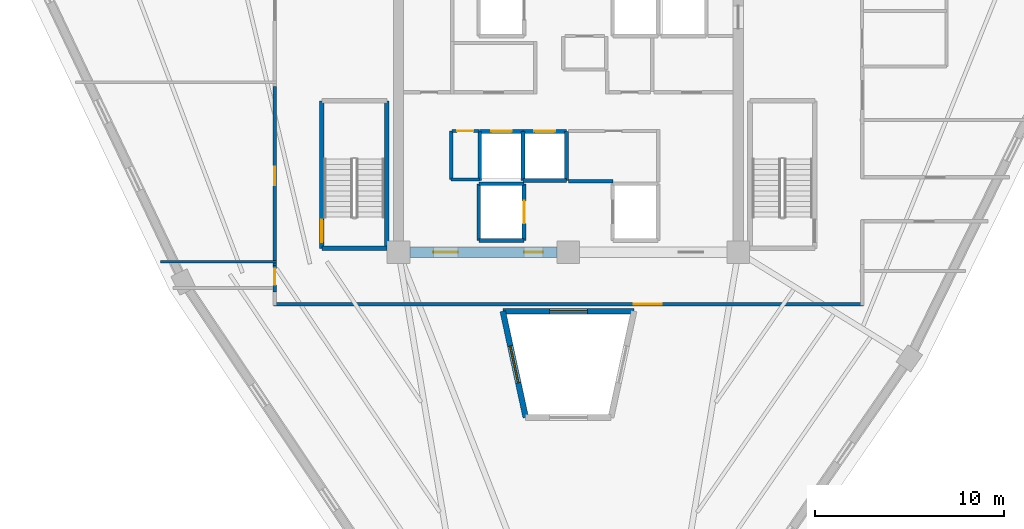
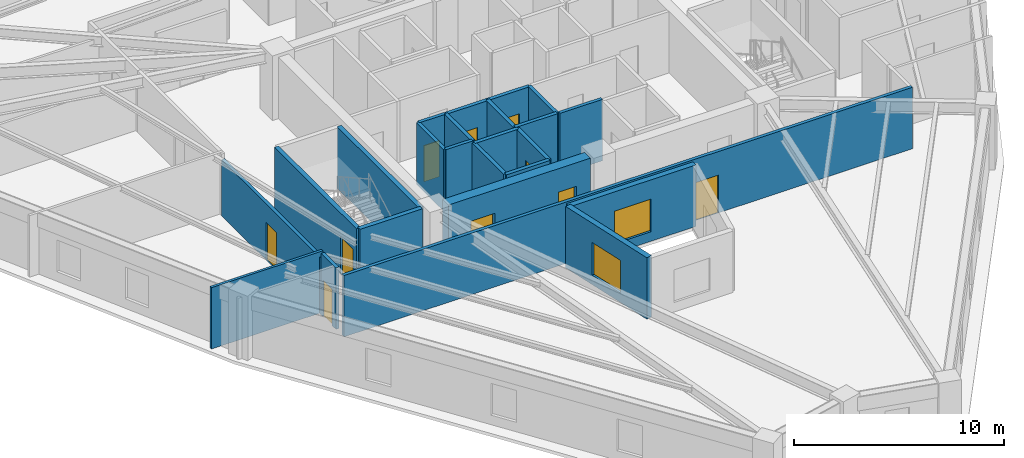
# One storey, part 3 of 8: 24 walls, 10 doors, 2 windows, 12 openings.
"""IFC4 building model written with IfcOpenShell, lengths in metres."""

from ifc_helpers import new_model, si_unit, direction, frame, frame_2d, origin, place, context, subcontext, project, spatial, rectangle, extrude, source, transform, mapped, material, layer, layer_set, type_object, element, fill, save


model = new_model("IFC4")

# Units and contexts
model_context = context("Model", 3, precision=1e-05, world=origin(), true_north=direction((0.0, 1.0)))
body_context = subcontext(model_context, "Body", "Model", "MODEL_VIEW")
ifc_project = project(units=[si_unit("LENGTHUNIT", "METRE"), si_unit("AREAUNIT", "SQUARE_METRE"), si_unit("VOLUMEUNIT", "CUBIC_METRE"), si_unit("PLANEANGLEUNIT", "RADIAN"), si_unit("MASSUNIT", "GRAM", prefix="KILO")], contexts=[model_context])

# Site, building, storey
site_placement = place(None, origin())
site = spatial("IfcSite", under=ifc_project, at=site_placement, CompositionType="ELEMENT")
building_placement = place(site_placement, origin())
building = spatial("IfcBuilding", under=site, at=building_placement, Name="Liaohun Quay Tower", CompositionType="ELEMENT")
storey_placement = place(building_placement, frame((0.0, 0.0, 305.25)))
storey = spatial("IfcBuildingStorey", under=building, at=storey_placement, Name="L79", CompositionType="ELEMENT", Elevation=305.25)

# Wall, opening, window
ifc_material_1 = material(Name="Concrete C50", Category="concrete")
ifc_layer_1 = layer(ifc_material_1, 0.300048828125, Name="Concrete C50", Category="concrete")
ifc_layer_set_1 = layer_set([ifc_layer_1], Name="Concrete C50")
wall_type_1 = type_object("IfcWallType", Name="WAL-ATR-300", PredefinedType="SOLIDWALL", material=ifc_layer_set_1)
wall_1_placement = place(storey_placement, frame((57.739013671875, 37.739990234375, 0.0), z_axis=(0.0, 0.0, 1.0), x_axis=(-0.211447694839, 0.977389314627, 0.0)))
wall_1 = element("IfcWall", 1, at=wall_1_placement, inside=storey, type_object=wall_type_1, Name="L79 Atrium Fire Compartment Wall 1", PredefinedType="SOLIDWALL", context=body_context, shape_type="SweptSolid", body=[
    extrude(rectangle(XDim=5.76025390625, YDim=0.300048828125, at=frame_2d((2.880126953125, 0.0))), origin(), (0.0, 0.0, 1.0), 3.570068359375),
])
shared_shape_1 = source(origin(), body_context, "Body", "SweptSolid", [
    extrude(rectangle(XDim=2.0, YDim=1.89990234375, at=frame_2d((1.0, 0.949951171875))), frame((0.0, 0.159912109375, 0.0), z_axis=(0.0, -1.0, 0.0), x_axis=(1.0, 0.0, 0.0)), (0.0, 0.0, 1.0), 0.320068359375),
])
opening_1_placement = place(wall_1_placement, frame((1.8798828125, 0.0, 0.550048828125)))
opening_1 = element("IfcOpeningElement", 2, at=opening_1_placement, cuts=wall_1, Name="Opening W07", PredefinedType="OPENING", context=body_context, shape_type="MappedRepresentation", body=[
    mapped(shared_shape_1, transform((0.0, 0.0, 0.0), x_axis=(1.0, 0.0, 0.0), y_axis=(0.0, 1.0, 0.0), z_axis=(0.0, 0.0, 1.0), scale=1.0)),
])
ifc_material_2 = material(Name="Class A 180-min fire-resistant insulated glazing", Category="glass")
window_type = type_object("IfcWindowType", Name="WIN-ATR-FIR", PartitioningType="DOUBLE_PANEL_VERTICAL", PredefinedType="WINDOW", material=ifc_material_2)
shared_shape_2 = source(origin(), body_context, "Body", "SweptSolid", [
    extrude(rectangle(XDim=2.0, YDim=1.89990234375, at=frame_2d((1.0, 0.949951171875))), frame((0.0, 0.030029296875, 0.0), z_axis=(0.0, -1.0, 0.0), x_axis=(1.0, 0.0, 0.0)), (0.0, 0.0, 1.0), 0.06005859375),
])
window_1_placement = place(opening_1_placement, origin())
window_1 = element("IfcWindow", 3, at=window_1_placement, inside=storey, type_object=window_type, Name="L79 Atrium Fire-Resistant Glazing W07-1", OverallHeight=1.89990234375, OverallWidth=2.0, PartitioningType="DOUBLE_PANEL_VERTICAL", PredefinedType="WINDOW", context=body_context, shape_type="MappedRepresentation", body=[
    mapped(shared_shape_2, transform((0.0, 0.0, 0.0), x_axis=(1.0, 0.0, 0.0), y_axis=(0.0, 1.0, 0.0), z_axis=(0.0, 0.0, 1.0), scale=1.0)),
])
fill(opening_1, window_1)

wall_2_placement = place(storey_placement, frame((56.52099609375, 43.3701171875, 0.0), z_axis=(0.0, 0.0, 1.0), x_axis=(1.0, 0.0, 0.0)))
wall_2 = element("IfcWall", 4, at=wall_2_placement, inside=storey, type_object=wall_type_1, Name="L79 Atrium Fire Compartment Wall 2", PredefinedType="SOLIDWALL", context=body_context, shape_type="SweptSolid", body=[
    extrude(rectangle(XDim=6.9580078125, YDim=0.300048828125, at=frame_2d((3.47900390625, 0.0))), origin(), (0.0, 0.0, 1.0), 3.570068359375),
])
opening_2_placement = place(wall_2_placement, frame((2.47900390625, 0.0, 0.550048828125)))
opening_2 = element("IfcOpeningElement", 5, at=opening_2_placement, cuts=wall_2, Name="Opening W07", PredefinedType="OPENING", context=body_context, shape_type="MappedRepresentation", body=[
    mapped(shared_shape_1, transform((0.0, 0.0, 0.0), x_axis=(1.0, 0.0, 0.0), y_axis=(0.0, 1.0, 0.0), z_axis=(0.0, 0.0, 1.0), scale=1.0)),
])
window_2_placement = place(opening_2_placement, origin())
window_2 = element("IfcWindow", 6, at=window_2_placement, inside=storey, type_object=window_type, Name="L79 Atrium Fire-Resistant Glazing W07-2", OverallHeight=1.89990234375, OverallWidth=2.0, PartitioningType="DOUBLE_PANEL_VERTICAL", PredefinedType="WINDOW", context=body_context, shape_type="MappedRepresentation", body=[
    mapped(shared_shape_2, transform((0.0, 0.0, 0.0), x_axis=(1.0, 0.0, 0.0), y_axis=(0.0, 1.0, 0.0), z_axis=(0.0, 0.0, 1.0), scale=1.0)),
])
fill(opening_2, window_2)

# Wall, openings, doors
ifc_layer_2 = layer(ifc_material_1, 0.550048828125, Name="Concrete C50", Category="concrete")
ifc_layer_set_2 = layer_set([ifc_layer_2], Name="Concrete C50")
wall_type_2 = type_object("IfcWallType", Name="WAL-COR-Z4", PredefinedType="SHEAR", material=ifc_layer_set_2)
wall_3_placement = place(storey_placement, frame((59.39990234375, 46.5, 0.0), z_axis=(0.0, 0.0, 1.0), x_axis=(-1.0, 0.0, 0.0)))
wall_3 = element("IfcWall", 7, at=wall_3_placement, inside=storey, type_object=wall_type_2, Name="L79 Central Core Shear Wall S-W", PredefinedType="SHEAR", context=body_context, shape_type="SweptSolid", body=[
    extrude(rectangle(XDim=7.7998046875, YDim=0.550048828125, at=frame_2d((3.89990234375, 0.0))), origin(), (0.0, 0.0, 1.0), 3.570068359375),
])
shared_shape_3 = source(origin(), body_context, "Body", "SweptSolid", [
    extrude(rectangle(XDim=1.300048828125, YDim=2.199951171875, at=frame_2d((0.64990234375, 1.10009765625))), frame((0.0, 0.284912109375, 0.0), z_axis=(0.0, -1.0, 0.0), x_axis=(1.0, 0.0, 0.0)), (0.0, 0.0, 1.0), 0.570068359375),
])
opening_3_placement = place(wall_3_placement, frame((5.25, 0.0, 0.0)))
opening_3 = element("IfcOpeningElement", 8, at=opening_3_placement, cuts=wall_3, Name="Opening FD1", PredefinedType="OPENING", context=body_context, shape_type="MappedRepresentation", body=[
    mapped(shared_shape_3, transform((0.0, 0.0, 0.0), x_axis=(1.0, 0.0, 0.0), y_axis=(0.0, 1.0, 0.0), z_axis=(0.0, 0.0, 1.0), scale=1.0)),
])
shared_shape_4 = source(origin(), body_context, "Body", "SweptSolid", [
    extrude(rectangle(XDim=1.0, YDim=2.199951171875, at=frame_2d((0.5, 1.10009765625))), frame((0.0, 0.284912109375, 0.0), z_axis=(0.0, -1.0, 0.0), x_axis=(1.0, 0.0, 0.0)), (0.0, 0.0, 1.0), 0.570068359375),
])
opening_4_placement = place(wall_3_placement, frame((0.75, 0.0, 0.0)))
opening_4 = element("IfcOpeningElement", 9, at=opening_4_placement, cuts=wall_3, Name="Opening FD2", PredefinedType="OPENING", context=body_context, shape_type="MappedRepresentation", body=[
    mapped(shared_shape_4, transform((0.0, 0.0, 0.0), x_axis=(1.0, 0.0, 0.0), y_axis=(0.0, 1.0, 0.0), z_axis=(0.0, 0.0, 1.0), scale=1.0)),
])
ifc_material_3 = material(Name="Galvanised steel smokeproof fire door", Category="steel")
door_type_1 = type_object("IfcDoorType", Name="DOR-FFL-1300", OperationType="NOTDEFINED", PredefinedType="DOOR", material=ifc_material_3)
shared_shape_5 = source(origin(), body_context, "Body", "SweptSolid", [
    extrude(rectangle(XDim=1.300048828125, YDim=2.199951171875, at=frame_2d((0.64990234375, 1.10009765625))), frame((0.0, 0.02490234375, 0.0), z_axis=(0.0, -1.0, 0.0), x_axis=(1.0, 0.0, 0.0)), (0.0, 0.0, 1.0), 0.050048828125),
])
door_1_placement = place(opening_3_placement, origin())
door_1 = element("IfcDoor", 10, at=door_1_placement, inside=storey, type_object=door_type_1, Name="L79 West Core Lift Lobby Smokeproof Door", OperationType="SINGLE_SWING_RIGHT", OverallHeight=2.199951171875, OverallWidth=1.300048828125, PredefinedType="DOOR", context=body_context, shape_type="MappedRepresentation", body=[
    mapped(shared_shape_5, transform((0.0, 0.0, 0.0), x_axis=(1.0, 0.0, 0.0), y_axis=(0.0, 1.0, 0.0), z_axis=(0.0, 0.0, 1.0), scale=1.0)),
])
fill(opening_3, door_1)
ifc_material_4 = material(Name="Galvanised steel smokeproof lobby fire door", Category="steel")
door_type_2 = type_object("IfcDoorType", Name="DOR-FFL-1000", OperationType="NOTDEFINED", PredefinedType="DOOR", material=ifc_material_4)
shared_shape_6 = source(origin(), body_context, "Body", "SweptSolid", [
    extrude(rectangle(XDim=1.0, YDim=2.199951171875, at=frame_2d((0.5, 1.10009765625))), frame((0.0, 0.02490234375, 0.0), z_axis=(0.0, -1.0, 0.0), x_axis=(1.0, 0.0, 0.0)), (0.0, 0.0, 1.0), 0.050048828125),
])
door_2_placement = place(opening_4_placement, origin())
door_2 = element("IfcDoor", 11, at=door_2_placement, inside=storey, type_object=door_type_2, Name="L79 South Firefighting Lobby Smokeproof Door", OperationType="SINGLE_SWING_LEFT", OverallHeight=2.199951171875, OverallWidth=1.0, PredefinedType="DOOR", context=body_context, shape_type="MappedRepresentation", body=[
    mapped(shared_shape_6, transform((0.0, 0.0, 0.0), x_axis=(1.0, 0.0, 0.0), y_axis=(0.0, 1.0, 0.0), z_axis=(0.0, 0.0, 1.0), scale=1.0)),
])
fill(opening_4, door_2)

# Wall, opening, door
ifc_material_5 = material(Name="Autoclaved aerated concrete blockwork", Category="masonry")
ifc_layer_3 = layer(ifc_material_5, 0.179931640625, Name="Autoclaved aerated concrete blockwork", Category="masonry")
ifc_layer_set_3 = layer_set([ifc_layer_3], Name="Autoclaved aerated concrete blockwork")
wall_type_3 = type_object("IfcWallType", Name="WAL-PRT-COR", PredefinedType="PARTITIONING", material=ifc_layer_set_3)
wall_4_placement = place(storey_placement, frame((53.820068359375, 52.919921875, 0.0), z_axis=(0.0, 0.0, 1.0), x_axis=(1.0, 0.0, 0.0)))
wall_4 = element("IfcWall", 12, at=wall_4_placement, inside=storey, type_object=wall_type_3, Name="L79 Interior Partition Wall 007", PredefinedType="PARTITIONING", context=body_context, shape_type="SweptSolid", body=[
    extrude(rectangle(XDim=1.429931640625, YDim=0.179931640625, at=frame_2d((0.71484375, 0.0))), origin(), (0.0, 0.0, 1.0), 3.570068359375),
])
shared_shape_7 = source(origin(), body_context, "Body", "SweptSolid", [
    extrude(rectangle(XDim=0.85009765625, YDim=2.10009765625, at=frame_2d((0.425048828125, 1.050048828125))), frame((0.0, 0.099853515625, 0.0), z_axis=(0.0, -1.0, 0.0), x_axis=(1.0, 0.0, 0.0)), (0.0, 0.0, 1.0), 0.199951171875),
])
opening_5_placement = place(wall_4_placement, frame((0.2900390625, 0.0, 0.0)))
opening_5 = element("IfcOpeningElement", 13, at=opening_5_placement, cuts=wall_4, Name="Opening AD1", PredefinedType="OPENING", context=body_context, shape_type="MappedRepresentation", body=[
    mapped(shared_shape_7, transform((0.0, 0.0, 0.0), x_axis=(1.0, 0.0, 0.0), y_axis=(0.0, 1.0, 0.0), z_axis=(0.0, 0.0, 1.0), scale=1.0)),
])
ifc_material_6 = material(Name="Steel riser inspection fire door", Category="steel")
door_type_3 = type_object("IfcDoorType", Name="DOR-SHF-850", OperationType="NOTDEFINED", PredefinedType="DOOR", material=ifc_material_6)
shared_shape_8 = source(origin(), body_context, "Body", "SweptSolid", [
    extrude(rectangle(XDim=0.85009765625, YDim=2.10009765625, at=frame_2d((0.425048828125, 1.050048828125))), frame((0.0, 0.02490234375, 0.0), z_axis=(0.0, -1.0, 0.0), x_axis=(1.0, 0.0, 0.0)), (0.0, 0.0, 1.0), 0.050048828125),
])
door_3_placement = place(opening_5_placement, origin())
door_3 = element("IfcDoor", 14, at=door_3_placement, inside=storey, type_object=door_type_3, Name="L79 Mechanical Smoke Duct Room Door", OperationType="SINGLE_SWING_LEFT", OverallHeight=2.10009765625, OverallWidth=0.85009765625, PredefinedType="DOOR", context=body_context, shape_type="MappedRepresentation", body=[
    mapped(shared_shape_8, transform((0.0, 0.0, 0.0), x_axis=(1.0, 0.0, 0.0), y_axis=(0.0, 1.0, 0.0), z_axis=(0.0, 0.0, 1.0), scale=1.0)),
])
fill(opening_5, door_3)

wall_5_placement = place(storey_placement, frame((44.43994140625, 45.784912109375, 0.0), z_axis=(0.0, 0.0, 1.0), x_axis=(0.0, 1.0, 0.0)))
wall_5 = element("IfcWall", 15, at=wall_5_placement, inside=storey, type_object=wall_type_3, Name="L79 Interior Partition Wall 022", PredefinedType="PARTITIONING", context=body_context, shape_type="SweptSolid", body=[
    extrude(rectangle(XDim=9.5, YDim=0.179931640625, at=frame_2d((4.75, 0.0))), origin(), (0.0, 0.0, 1.0), 3.260986328125),
])
shared_shape_9 = source(origin(), body_context, "Body", "SweptSolid", [
    extrude(rectangle(XDim=1.0, YDim=2.199951171875, at=frame_2d((0.5, 1.10009765625))), frame((0.0, 0.099853515625, 0.0), z_axis=(0.0, -1.0, 0.0), x_axis=(1.0, 0.0, 0.0)), (0.0, 0.0, 1.0), 0.199951171875),
])
opening_6_placement = place(wall_5_placement, frame((4.25, 0.0, 0.0)))
opening_6 = element("IfcOpeningElement", 16, at=opening_6_placement, cuts=wall_5, Name="Opening OD1", PredefinedType="OPENING", context=body_context, shape_type="MappedRepresentation", body=[
    mapped(shared_shape_9, transform((0.0, 0.0, 0.0), x_axis=(1.0, 0.0, 0.0), y_axis=(0.0, 1.0, 0.0), z_axis=(0.0, 0.0, 1.0), scale=1.0)),
])
ifc_material_7 = material(Name="Solid-core oak veneer timber leaf in steel frame", Category="steel")
door_type_4 = type_object("IfcDoorType", Name="DOR-OFF-1000", OperationType="NOTDEFINED", PredefinedType="DOOR", material=ifc_material_7)
door_4_placement = place(opening_6_placement, origin())
door_4 = element("IfcDoor", 17, at=door_4_placement, inside=storey, type_object=door_type_4, Name="L79 Client Collaboration Lounge 08 Door", OperationType="SINGLE_SWING_RIGHT", OverallHeight=2.199951171875, OverallWidth=1.0, PredefinedType="DOOR", context=body_context, shape_type="MappedRepresentation", body=[
    mapped(shared_shape_6, transform((0.0, 0.0, 0.0), x_axis=(1.0, 0.0, 0.0), y_axis=(0.0, 1.0, 0.0), z_axis=(0.0, 0.0, 1.0), scale=1.0)),
])
fill(opening_6, door_4)

wall_6_placement = place(storey_placement, frame((44.43994140625, 44.385009765625, 0.0), z_axis=(0.0, 0.0, 1.0), x_axis=(0.0, 1.0, 0.0)))
wall_6 = element("IfcWall", 18, at=wall_6_placement, inside=storey, type_object=wall_type_3, Name="L79 Interior Partition Wall 023", PredefinedType="PARTITIONING", context=body_context, shape_type="SweptSolid", body=[
    extrude(rectangle(XDim=1.39990234375, YDim=0.179931640625, at=frame_2d((0.699951171875, 0.0))), origin(), (0.0, 0.0, 1.0), 3.570068359375),
])
opening_7_placement = place(wall_6_placement, frame((0.386962890625, 0.0, 0.0)))
opening_7 = element("IfcOpeningElement", 19, at=opening_7_placement, cuts=wall_6, Name="Opening AD1", PredefinedType="OPENING", context=body_context, shape_type="MappedRepresentation", body=[
    mapped(shared_shape_7, transform((0.0, 0.0, 0.0), x_axis=(1.0, 0.0, 0.0), y_axis=(0.0, 1.0, 0.0), z_axis=(0.0, 0.0, 1.0), scale=1.0)),
])
door_5_placement = place(opening_7_placement, origin())
door_5 = element("IfcDoor", 20, at=door_5_placement, inside=storey, type_object=door_type_3, Name="L79 Records Archive Store 09 Door", OperationType="SINGLE_SWING_LEFT", OverallHeight=2.10009765625, OverallWidth=0.85009765625, PredefinedType="DOOR", context=body_context, shape_type="MappedRepresentation", body=[
    mapped(shared_shape_8, transform((0.0, 0.0, 0.0), x_axis=(1.0, 0.0, 0.0), y_axis=(0.0, 1.0, 0.0), z_axis=(0.0, 0.0, 1.0), scale=1.0)),
])
fill(opening_7, door_5)

wall_7_placement = place(storey_placement, frame((75.6298828125, 43.739990234375, 0.0), z_axis=(0.0, 0.0, 1.0), x_axis=(-1.0, 0.0, 0.0)))
wall_7 = element("IfcWall", 21, at=wall_7_placement, inside=storey, type_object=wall_type_3, Name="L79 Interior Partition Wall 024", PredefinedType="PARTITIONING", context=body_context, shape_type="SweptSolid", body=[
    extrude(rectangle(XDim=31.259765625, YDim=0.179931640625, at=frame_2d((15.6298828125, 0.0))), origin(), (0.0, 0.0, 1.0), 3.570068359375),
])
shared_shape_10 = source(origin(), body_context, "Body", "SweptSolid", [
    extrude(rectangle(XDim=1.5, YDim=2.199951171875, at=frame_2d((0.75, 1.10009765625))), frame((0.0, 0.099853515625, 0.0), z_axis=(0.0, -1.0, 0.0), x_axis=(1.0, 0.0, 0.0)), (0.0, 0.0, 1.0), 0.199951171875),
])
opening_8_placement = place(wall_7_placement, frame((10.679931640625, 0.0, 0.0)))
opening_8 = element("IfcOpeningElement", 22, at=opening_8_placement, cuts=wall_7, Name="Opening OD2", PredefinedType="OPENING", context=body_context, shape_type="MappedRepresentation", body=[
    mapped(shared_shape_10, transform((0.0, 0.0, 0.0), x_axis=(1.0, 0.0, 0.0), y_axis=(0.0, 1.0, 0.0), z_axis=(0.0, 0.0, 1.0), scale=1.0)),
])
ifc_material_8 = material(Name="Acoustic oak veneer double door")
door_type_5 = type_object("IfcDoorType", Name="DOR-OFF-1500", OperationType="DOUBLE_DOOR_SINGLE_SWING", PredefinedType="DOOR", material=ifc_material_8)
shared_shape_11 = source(origin(), body_context, "Body", "SweptSolid", [
    extrude(rectangle(XDim=1.5, YDim=2.199951171875, at=frame_2d((0.75, 1.10009765625))), frame((0.0, 0.02490234375, 0.0), z_axis=(0.0, -1.0, 0.0), x_axis=(1.0, 0.0, 0.0)), (0.0, 0.0, 1.0), 0.050048828125),
])
door_6_placement = place(opening_8_placement, origin())
door_6 = element("IfcDoor", 23, at=door_6_placement, inside=storey, type_object=door_type_5, Name="L79 Open-Plan Office Workplace 10 Door", OperationType="DOUBLE_DOOR_SINGLE_SWING", OverallHeight=2.199951171875, OverallWidth=1.5, PredefinedType="DOOR", context=body_context, shape_type="MappedRepresentation", body=[
    mapped(shared_shape_11, transform((0.0, 0.0, 0.0), x_axis=(1.0, 0.0, 0.0), y_axis=(0.0, 1.0, 0.0), z_axis=(0.0, 0.0, 1.0), scale=1.0)),
])
fill(opening_8, door_6)

# Walls
wall_8_placement = place(storey_placement, frame((53.7900390625, 50.35009765625, 0.0), z_axis=(0.0, 0.0, 1.0), x_axis=(0.0, 1.0, 0.0)))
element("IfcWall", 24, at=wall_8_placement, inside=storey, type_object=wall_type_3, Name="L79 Interior Partition Wall 031", PredefinedType="PARTITIONING", context=body_context, shape_type="SweptSolid", body=[
    extrude(rectangle(XDim=2.56982421875, YDim=0.179931640625, at=frame_2d((1.284912109375, 0.0))), origin(), (0.0, 0.0, 1.0), 3.570068359375),
])
wall_9_placement = place(storey_placement, frame((53.7900390625, 50.35009765625, 0.0), z_axis=(0.0, 0.0, 1.0), x_axis=(1.0, 0.0, 0.0)))
element("IfcWall", 25, at=wall_9_placement, inside=storey, type_object=wall_type_3, Name="L79 Interior Partition Wall 032", PredefinedType="PARTITIONING", context=body_context, shape_type="SweptSolid", body=[
    extrude(rectangle(XDim=1.489990234375, YDim=0.179931640625, at=frame_2d((0.7451171875, 0.0))), origin(), (0.0, 0.0, 1.0), 3.570068359375),
])
wall_10_placement = place(storey_placement, frame((60.0, 50.25, 0.0), z_axis=(0.0, 0.0, 1.0), x_axis=(1.0, 0.0, 0.0)))
element("IfcWall", 26, at=wall_10_placement, inside=storey, type_object=wall_type_3, Name="L79 Interior Partition Wall 060", PredefinedType="PARTITIONING", context=body_context, shape_type="SweptSolid", body=[
    extrude(rectangle(XDim=2.35009765625, YDim=0.179931640625, at=frame_2d((1.175048828125, 0.0))), origin(), (0.0, 0.0, 1.0), 3.570068359375),
])
ifc_material_9 = material(Name="Gypsum board on twin steel studs", Category="steel")
ifc_layer_4 = layer(ifc_material_9, 0.139892578125, Name="Gypsum board on twin steel studs", Category="steel")
ifc_layer_set_4 = layer_set([ifc_layer_4], Name="Gypsum board on twin steel studs")
wall_type_4 = type_object("IfcWallType", Name="WAL-PRT-OFF", PredefinedType="PARTITIONING", material=ifc_layer_set_4)
wall_11_placement = place(storey_placement, frame((44.5400390625, 46.0, 0.0), z_axis=(0.0, 0.0, 1.0), x_axis=(-1.0, 0.0, 0.0)))
element("IfcWall", 27, at=wall_11_placement, inside=storey, type_object=wall_type_4, Name="L79 Interior Partition Wall 050", PredefinedType="PARTITIONING", context=body_context, shape_type="SweptSolid", body=[
    extrude(rectangle(XDim=6.14794921875, YDim=0.139892578125, at=frame_2d((3.073974609375, 0.0))), origin(), (0.0, 0.0, 1.0), 3.570068359375),
])
ifc_layer_5 = layer(ifc_material_1, 0.239990234375, Name="Concrete C50", Category="concrete")
ifc_layer_set_5 = layer_set([ifc_layer_5], Name="Concrete C50")
wall_type_5 = type_object("IfcWallType", Name="WAL-SHF-200", PredefinedType="SOLIDWALL", material=ifc_layer_set_5)
wall_12_placement = place(storey_placement, frame((46.93994140625, 46.699951171875, 0.0), z_axis=(0.0, 0.0, 1.0), x_axis=(1.0, 0.0, 0.0)))
element("IfcWall", 28, at=wall_12_placement, inside=storey, type_object=wall_type_5, Name="L79 Stairwell ST-1 Structural Core Wall S", PredefinedType="SOLIDWALL", context=body_context, shape_type="SweptSolid", body=[
    extrude(rectangle(XDim=3.43994140625, YDim=0.239990234375, at=frame_2d((1.719970703125, 0.0))), origin(), (0.0, 0.0, 1.0), 3.570068359375),
])
wall_13_placement = place(storey_placement, frame((50.3798828125, 46.699951171875, 0.0), z_axis=(0.0, 0.0, 1.0), x_axis=(0.0, 1.0, 0.0)))
element("IfcWall", 29, at=wall_13_placement, inside=storey, type_object=wall_type_5, Name="L79 Stairwell ST-1 Structural Core Wall E", PredefinedType="SOLIDWALL", context=body_context, shape_type="SweptSolid", body=[
    extrude(rectangle(XDim=7.820068359375, YDim=0.239990234375, at=frame_2d((3.91015625, 0.0))), origin(), (0.0, 0.0, 1.0), 3.570068359375),
])

# Wall, opening, door
wall_14_placement = place(storey_placement, frame((46.93994140625, 54.52001953125, 0.0), z_axis=(0.0, 0.0, 1.0), x_axis=(0.0, -1.0, 0.0)))
wall_14 = element("IfcWall", 30, at=wall_14_placement, inside=storey, type_object=wall_type_5, Name="L79 Stairwell ST-1 Structural Core Wall W", PredefinedType="SOLIDWALL", context=body_context, shape_type="SweptSolid", body=[
    extrude(rectangle(XDim=7.820068359375, YDim=0.239990234375, at=frame_2d((3.91015625, 0.0))), origin(), (0.0, 0.0, 1.0), 3.570068359375),
])
shared_shape_12 = source(origin(), body_context, "Body", "SweptSolid", [
    extrude(rectangle(XDim=1.199951171875, YDim=2.199951171875, at=frame_2d((0.60009765625, 1.10009765625))), frame((0.0, 0.1298828125, 0.0), z_axis=(0.0, -1.0, 0.0), x_axis=(1.0, 0.0, 0.0)), (0.0, 0.0, 1.0), 0.260009765625),
])
opening_9_placement = place(wall_14_placement, frame((6.300048828125, 0.0, 0.0)))
opening_9 = element("IfcOpeningElement", 31, at=opening_9_placement, cuts=wall_14, Name="Opening SD1", PredefinedType="OPENING", context=body_context, shape_type="MappedRepresentation", body=[
    mapped(shared_shape_12, transform((0.0, 0.0, 0.0), x_axis=(1.0, 0.0, 0.0), y_axis=(0.0, 1.0, 0.0), z_axis=(0.0, 0.0, 1.0), scale=1.0)),
])
ifc_material_10 = material(Name="Galvanised steel fire door", Category="steel")
door_type_6 = type_object("IfcDoorType", Name="DOR-STR-1200", OperationType="NOTDEFINED", PredefinedType="DOOR", material=ifc_material_10)
shared_shape_13 = source(origin(), body_context, "Body", "SweptSolid", [
    extrude(rectangle(XDim=1.199951171875, YDim=2.199951171875, at=frame_2d((0.60009765625, 1.10009765625))), frame((0.0, 0.02490234375, 0.0), z_axis=(0.0, -1.0, 0.0), x_axis=(1.0, 0.0, 0.0)), (0.0, 0.0, 1.0), 0.050048828125),
])
door_7_placement = place(opening_9_placement, origin())
door_7 = element("IfcDoor", 32, at=door_7_placement, inside=storey, type_object=door_type_6, Name="L79 Protected Stair ST-1 Fire Door", OperationType="SINGLE_SWING_LEFT", OverallHeight=2.199951171875, OverallWidth=1.199951171875, PredefinedType="DOOR", context=body_context, shape_type="MappedRepresentation", body=[
    mapped(shared_shape_13, transform((0.0, 0.0, 0.0), x_axis=(1.0, 0.0, 0.0), y_axis=(0.0, 1.0, 0.0), z_axis=(0.0, 0.0, 1.0), scale=1.0)),
])
fill(opening_9, door_7)

# Wall
wall_15_placement = place(storey_placement, frame((55.25, 47.1201171875, 0.0), z_axis=(0.0, 0.0, 1.0), x_axis=(1.0, 0.0, 0.0)))
element("IfcWall", 33, at=wall_15_placement, inside=storey, type_object=wall_type_5, Name="L79 Lift FF-01 Hoistway Wall S", PredefinedType="SOLIDWALL", context=body_context, shape_type="SweptSolid", body=[
    extrude(rectangle(XDim=2.39990234375, YDim=0.199951171875, at=frame_2d((1.199951171875, 0.0))), origin(), (0.0, 0.0, 1.0), 3.570068359375),
])

# Wall, opening, door
wall_16_placement = place(storey_placement, frame((57.64990234375, 47.1201171875, 0.0), z_axis=(0.0, 0.0, 1.0), x_axis=(0.0, 1.0, 0.0)))
wall_16 = element("IfcWall", 34, at=wall_16_placement, inside=storey, type_object=wall_type_5, Name="L79 Lift FF-01 Hoistway Wall E", PredefinedType="SOLIDWALL", context=body_context, shape_type="SweptSolid", body=[
    extrude(rectangle(XDim=3.0, YDim=0.199951171875, at=frame_2d((1.5, 0.0))), origin(), (0.0, 0.0, 1.0), 3.570068359375),
])
shared_shape_14 = source(origin(), body_context, "Body", "SweptSolid", [
    extrude(rectangle(XDim=1.199951171875, YDim=2.300048828125, at=frame_2d((0.60009765625, 1.14990234375))), frame((0.0, 0.10986328125, 0.0), z_axis=(0.0, -1.0, 0.0), x_axis=(1.0, 0.0, 0.0)), (0.0, 0.0, 1.0), 0.219970703125),
])
opening_10_placement = place(wall_16_placement, frame((0.89990234375, 0.0, 0.0)))
opening_10 = element("IfcOpeningElement", 35, at=opening_10_placement, cuts=wall_16, Name="Opening LD2", PredefinedType="OPENING", context=body_context, shape_type="MappedRepresentation", body=[
    mapped(shared_shape_14, transform((0.0, 0.0, 0.0), x_axis=(1.0, 0.0, 0.0), y_axis=(0.0, 1.0, 0.0), z_axis=(0.0, 0.0, 1.0), scale=1.0)),
])
ifc_material_11 = material(Name="Brushed stainless steel stretcher landing door", Category="steel")
door_type_7 = type_object("IfcDoorType", Name="DOR-LFT-1200", OperationType="SLIDING_TO_LEFT", PredefinedType="DOOR", material=ifc_material_11)
shared_shape_15 = source(origin(), body_context, "Body", "SweptSolid", [
    extrude(rectangle(XDim=1.199951171875, YDim=2.300048828125, at=frame_2d((0.60009765625, 1.14990234375))), frame((0.0, 0.02490234375, 0.0), z_axis=(0.0, -1.0, 0.0), x_axis=(1.0, 0.0, 0.0)), (0.0, 0.0, 1.0), 0.050048828125),
])
door_8_placement = place(opening_10_placement, origin())
door_8 = element("IfcDoor", 36, at=door_8_placement, inside=storey, type_object=door_type_7, Name="L79 Lift FF-01 Sliding Landing Door", OperationType="SLIDING_TO_LEFT", OverallHeight=2.300048828125, OverallWidth=1.199951171875, PredefinedType="DOOR", context=body_context, shape_type="MappedRepresentation", body=[
    mapped(shared_shape_15, transform((0.0, 0.0, 0.0), x_axis=(1.0, 0.0, 0.0), y_axis=(0.0, 1.0, 0.0), z_axis=(0.0, 0.0, 1.0), scale=1.0)),
])
fill(opening_10, door_8)

# Walls
wall_17_placement = place(storey_placement, frame((57.64990234375, 50.1201171875, 0.0), z_axis=(0.0, 0.0, 1.0), x_axis=(-1.0, 0.0, 0.0)))
element("IfcWall", 37, at=wall_17_placement, inside=storey, type_object=wall_type_5, Name="L79 Lift FF-01 Hoistway Wall N", PredefinedType="SOLIDWALL", context=body_context, shape_type="SweptSolid", body=[
    extrude(rectangle(XDim=2.39990234375, YDim=0.199951171875, at=frame_2d((1.199951171875, 0.0))), origin(), (0.0, 0.0, 1.0), 3.570068359375),
])
wall_18_placement = place(storey_placement, frame((55.25, 50.1201171875, 0.0), z_axis=(0.0, 0.0, 1.0), x_axis=(0.0, -1.0, 0.0)))
element("IfcWall", 38, at=wall_18_placement, inside=storey, type_object=wall_type_5, Name="L79 Lift FF-01 Hoistway Wall W", PredefinedType="SOLIDWALL", context=body_context, shape_type="SweptSolid", body=[
    extrude(rectangle(XDim=3.0, YDim=0.199951171875, at=frame_2d((1.5, 0.0))), origin(), (0.0, 0.0, 1.0), 3.570068359375),
])
wall_19_placement = place(storey_placement, frame((57.60009765625, 50.300048828125, 0.0), z_axis=(0.0, 0.0, 1.0), x_axis=(0.0, 1.0, 0.0)))
element("IfcWall", 39, at=wall_19_placement, inside=storey, type_object=wall_type_5, Name="L79 Lift PL-4A Hoistway Wall E", PredefinedType="SOLIDWALL", context=body_context, shape_type="SweptSolid", body=[
    extrude(rectangle(XDim=2.599853515625, YDim=0.199951171875, at=frame_2d((1.2998046875, 0.0))), origin(), (0.0, 0.0, 1.0), 3.570068359375),
])

# Wall, opening, door
wall_20_placement = place(storey_placement, frame((57.60009765625, 52.89990234375, 0.0), z_axis=(0.0, 0.0, 1.0), x_axis=(-1.0, 0.0, 0.0)))
wall_20 = element("IfcWall", 40, at=wall_20_placement, inside=storey, type_object=wall_type_5, Name="L79 Lift PL-4A Hoistway Wall N", PredefinedType="SOLIDWALL", context=body_context, shape_type="SweptSolid", body=[
    extrude(rectangle(XDim=2.300048828125, YDim=0.199951171875, at=frame_2d((1.14990234375, 0.0))), origin(), (0.0, 0.0, 1.0), 3.570068359375),
])
shared_shape_16 = source(origin(), body_context, "Body", "SweptSolid", [
    extrude(rectangle(XDim=1.10009765625, YDim=2.199951171875, at=frame_2d((0.550048828125, 1.10009765625))), frame((0.0, 0.10986328125, 0.0), z_axis=(0.0, -1.0, 0.0), x_axis=(1.0, 0.0, 0.0)), (0.0, 0.0, 1.0), 0.219970703125),
])
opening_11_placement = place(wall_20_placement, frame((0.60009765625, 0.0, 0.0)))
opening_11 = element("IfcOpeningElement", 41, at=opening_11_placement, cuts=wall_20, Name="Opening LD1", PredefinedType="OPENING", context=body_context, shape_type="MappedRepresentation", body=[
    mapped(shared_shape_16, transform((0.0, 0.0, 0.0), x_axis=(1.0, 0.0, 0.0), y_axis=(0.0, 1.0, 0.0), z_axis=(0.0, 0.0, 1.0), scale=1.0)),
])
ifc_material_12 = material(Name="Brushed stainless steel landing door", Category="steel")
door_type_8 = type_object("IfcDoorType", Name="DOR-LFT-1100", OperationType="SLIDING_TO_LEFT", PredefinedType="DOOR", material=ifc_material_12)
shared_shape_17 = source(origin(), body_context, "Body", "SweptSolid", [
    extrude(rectangle(XDim=1.10009765625, YDim=2.199951171875, at=frame_2d((0.550048828125, 1.10009765625))), frame((0.0, 0.02490234375, 0.0), z_axis=(0.0, -1.0, 0.0), x_axis=(1.0, 0.0, 0.0)), (0.0, 0.0, 1.0), 0.050048828125),
])
door_9_placement = place(opening_11_placement, origin())
door_9 = element("IfcDoor", 42, at=door_9_placement, inside=storey, type_object=door_type_8, Name="L79 Lift PL-4A Sliding Landing Door", OperationType="SLIDING_TO_LEFT", OverallHeight=2.199951171875, OverallWidth=1.10009765625, PredefinedType="DOOR", context=body_context, shape_type="MappedRepresentation", body=[
    mapped(shared_shape_17, transform((0.0, 0.0, 0.0), x_axis=(1.0, 0.0, 0.0), y_axis=(0.0, 1.0, 0.0), z_axis=(0.0, 0.0, 1.0), scale=1.0)),
])
fill(opening_11, door_9)

# Walls
wall_21_placement = place(storey_placement, frame((55.300048828125, 52.89990234375, 0.0), z_axis=(0.0, 0.0, 1.0), x_axis=(0.0, -1.0, 0.0)))
element("IfcWall", 43, at=wall_21_placement, inside=storey, type_object=wall_type_5, Name="L79 Lift PL-4A Hoistway Wall W", PredefinedType="SOLIDWALL", context=body_context, shape_type="SweptSolid", body=[
    extrude(rectangle(XDim=2.599853515625, YDim=0.199951171875, at=frame_2d((1.2998046875, 0.0))), origin(), (0.0, 0.0, 1.0), 3.570068359375),
])
wall_22_placement = place(storey_placement, frame((57.60009765625, 50.300048828125, 0.0), z_axis=(0.0, 0.0, 1.0), x_axis=(1.0, 0.0, 0.0)))
element("IfcWall", 44, at=wall_22_placement, inside=storey, type_object=wall_type_5, Name="L79 Lift PL-4B Hoistway Wall S", PredefinedType="SOLIDWALL", context=body_context, shape_type="SweptSolid", body=[
    extrude(rectangle(XDim=2.2998046875, YDim=0.199951171875, at=frame_2d((1.14990234375, 0.0))), origin(), (0.0, 0.0, 1.0), 3.570068359375),
])
wall_23_placement = place(storey_placement, frame((59.89990234375, 50.300048828125, 0.0), z_axis=(0.0, 0.0, 1.0), x_axis=(0.0, 1.0, 0.0)))
element("IfcWall", 45, at=wall_23_placement, inside=storey, type_object=wall_type_5, Name="L79 Lift PL-4B Hoistway Wall E", PredefinedType="SOLIDWALL", context=body_context, shape_type="SweptSolid", body=[
    extrude(rectangle(XDim=2.599853515625, YDim=0.199951171875, at=frame_2d((1.2998046875, 0.0))), origin(), (0.0, 0.0, 1.0), 3.570068359375),
])

# Wall, opening, door
wall_24_placement = place(storey_placement, frame((59.89990234375, 52.89990234375, 0.0), z_axis=(0.0, 0.0, 1.0), x_axis=(-1.0, 0.0, 0.0)))
wall_24 = element("IfcWall", 46, at=wall_24_placement, inside=storey, type_object=wall_type_5, Name="L79 Lift PL-4B Hoistway Wall N", PredefinedType="SOLIDWALL", context=body_context, shape_type="SweptSolid", body=[
    extrude(rectangle(XDim=2.2998046875, YDim=0.199951171875, at=frame_2d((1.14990234375, 0.0))), origin(), (0.0, 0.0, 1.0), 3.570068359375),
])
opening_12_placement = place(wall_24_placement, frame((0.60009765625, 0.0, 0.0)))
opening_12 = element("IfcOpeningElement", 47, at=opening_12_placement, cuts=wall_24, Name="Opening LD1", PredefinedType="OPENING", context=body_context, shape_type="MappedRepresentation", body=[
    mapped(shared_shape_16, transform((0.0, 0.0, 0.0), x_axis=(1.0, 0.0, 0.0), y_axis=(0.0, 1.0, 0.0), z_axis=(0.0, 0.0, 1.0), scale=1.0)),
])
door_10_placement = place(opening_12_placement, origin())
door_10 = element("IfcDoor", 48, at=door_10_placement, inside=storey, type_object=door_type_8, Name="L79 Lift PL-4B Sliding Landing Door", OperationType="SLIDING_TO_LEFT", OverallHeight=2.199951171875, OverallWidth=1.10009765625, PredefinedType="DOOR", context=body_context, shape_type="MappedRepresentation", body=[
    mapped(shared_shape_17, transform((0.0, 0.0, 0.0), x_axis=(1.0, 0.0, 0.0), y_axis=(0.0, 1.0, 0.0), z_axis=(0.0, 0.0, 1.0), scale=1.0)),
])
fill(opening_12, door_10)

save(model, "model.ifc")
